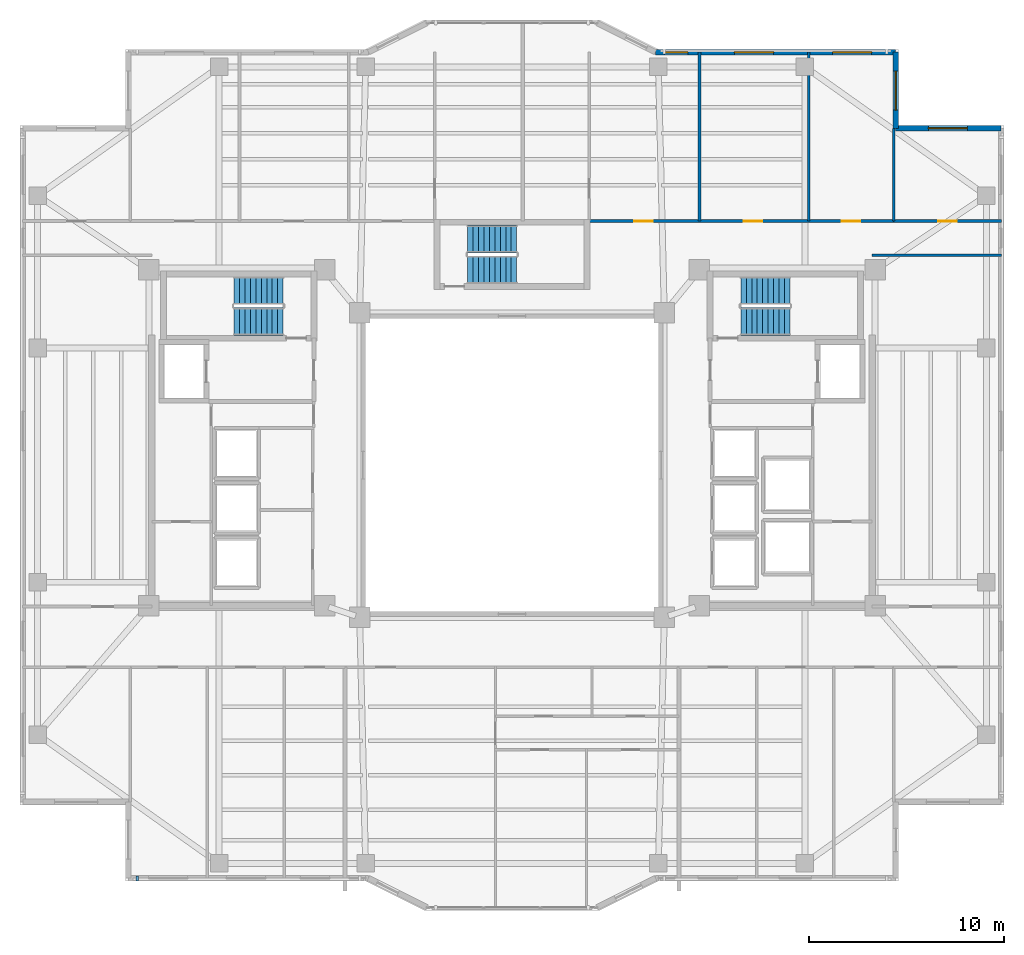
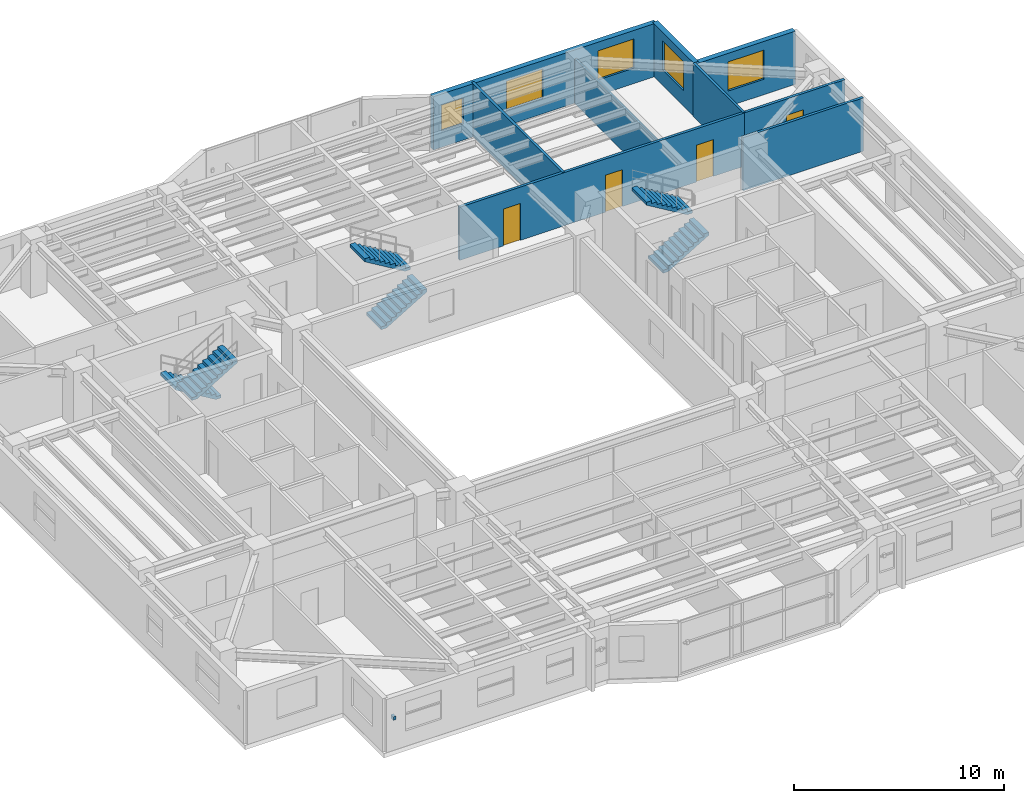
# One storey, part 10 of 15: 9 walls, 6 stair flights, 5 windows, 4 doors, 1 discrete accessory, 9 openings, 3 elements without a shape of their own.
"""IFC4 building model written with IfcOpenShell, lengths in metres."""

from ifc_helpers import new_model, si_unit, direction, frame, frame_2d, origin, origin_2d, place, context, subcontext, project, spatial, polyline, rectangle, outline, extrude, material, layer, layer_set, type_object, element, fill, aggregate, save


model = new_model("IFC4")

# Units and contexts
model_context = context("Model", 3, precision=1e-05, world=origin(), true_north=direction((0.0, 1.0)))
body_context = subcontext(model_context, "Body", "Model", "MODEL_VIEW")
ifc_project = project(units=[si_unit("LENGTHUNIT", "METRE"), si_unit("AREAUNIT", "SQUARE_METRE"), si_unit("VOLUMEUNIT", "CUBIC_METRE"), si_unit("PLANEANGLEUNIT", "RADIAN"), si_unit("MASSUNIT", "GRAM", prefix="KILO")], contexts=[model_context])

# Site, building, storey
site_placement = place(None, origin())
site = spatial("IfcSite", under=ifc_project, at=site_placement, CompositionType="ELEMENT")
building_placement = place(site_placement, origin())
building = spatial("IfcBuilding", under=site, at=building_placement, Name="Tarnavaz Court Tower", CompositionType="ELEMENT")
storey_placement = place(building_placement, frame((0.0, 0.0, 139.300048828125)))
storey = spatial("IfcBuildingStorey", under=building, at=storey_placement, Name="L37", CompositionType="ELEMENT", Elevation=139.300048828125)

# Wall, openings, windows
ifc_material_1 = material(Name="Precast Concrete C40/50", Category="concrete")
ifc_layer_1 = layer(ifc_material_1, 0.280029296875)
ifc_layer_set_1 = layer_set([ifc_layer_1], Name="Precast Concrete C40/50")
wall_type_1 = type_object("IfcWallType", Name="WL-EXT-280", PredefinedType="SOLIDWALL", material=ifc_layer_set_1)
wall_1_placement = place(storey_placement, frame((7.35009765625, 21.14990234375, 0.0), z_axis=(0.0, 0.0, 1.0), x_axis=(1.0, 0.0, 0.0)))
wall_1 = element("IfcWall", 1, at=wall_1_placement, inside=storey, type_object=wall_type_1, Name="L37 Exterior Terracotta Facade Wall 09", PredefinedType="SOLIDWALL", context=body_context, shape_type="SweptSolid", body=[
    extrude(rectangle(XDim=12.2998046875, YDim=0.280029296875, at=frame_2d((6.14990234375, 0.0))), origin(), (0.0, 0.0, 1.0), 3.099853515625),
])
opening_1_placement = place(wall_1_placement, frame((0.454345703125, 0.0, 0.949951171875)))
opening_1 = element("IfcOpeningElement", 2, at=opening_1_placement, cuts=wall_1, Name="Opening W05", PredefinedType="OPENING", context=body_context, shape_type="SweptSolid", body=[
    extrude(rectangle(XDim=1.199951171875, YDim=1.5, at=frame_2d((0.60009765625, 0.75))), frame((0.0, 0.14990234375, 0.0), z_axis=(0.0, -1.0, 0.0), x_axis=(1.0, 0.0, 0.0)), (0.0, 0.0, 1.0), 0.300048828125),
])
opening_2_placement = place(wall_1_placement, frame((4.04541015625, 0.0, 0.89990234375)))
opening_2 = element("IfcOpeningElement", 3, at=opening_2_placement, cuts=wall_1, Name="Opening W08", PredefinedType="OPENING", context=body_context, shape_type="SweptSolid", body=[
    extrude(rectangle(XDim=2.0, YDim=1.699951171875, at=frame_2d((1.0, 0.85009765625))), frame((0.0, 0.14990234375, 0.0), z_axis=(0.0, -1.0, 0.0), x_axis=(1.0, 0.0, 0.0)), (0.0, 0.0, 1.0), 0.300048828125),
])
opening_3_placement = place(wall_1_placement, frame((9.06591796875, 0.0, 0.89990234375)))
opening_3 = element("IfcOpeningElement", 4, at=opening_3_placement, cuts=wall_1, Name="Opening W08", PredefinedType="OPENING", context=body_context, shape_type="SweptSolid", body=[
    extrude(rectangle(XDim=2.0, YDim=1.699951171875, at=frame_2d((1.0, 0.85009765625))), frame((0.0, 0.14990234375, 0.0), z_axis=(0.0, -1.0, 0.0), x_axis=(1.0, 0.0, 0.0)), (0.0, 0.0, 1.0), 0.300048828125),
])
ifc_material_2 = material(Name="Double-Glazed Solar Low-E Glass", Category="glass")
window_type_1 = type_object("IfcWindowType", Name="WN-APT-1200", PartitioningType="SINGLE_PANEL", PredefinedType="WINDOW", material=ifc_material_2)
window_1_placement = place(opening_1_placement, origin())
window_1 = element("IfcWindow", 5, at=window_1_placement, inside=storey, type_object=window_type_1, Name="L37 Resident Co-Working Study Room Window", OverallHeight=1.5, OverallWidth=1.199951171875, PartitioningType="SINGLE_PANEL", PredefinedType="WINDOW", context=body_context, shape_type="SweptSolid", body=[
    extrude(rectangle(XDim=1.199951171875, YDim=1.5, at=frame_2d((0.60009765625, 0.75))), frame((0.0, 0.030029296875, 0.0), z_axis=(0.0, -1.0, 0.0), x_axis=(1.0, 0.0, 0.0)), (0.0, 0.0, 1.0), 0.06005859375),
])
fill(opening_1, window_1)
window_type_2 = type_object("IfcWindowType", Name="WN-APT-2000", PartitioningType="DOUBLE_PANEL_VERTICAL", PredefinedType="WINDOW", material=ifc_material_2)
window_2_placement = place(opening_2_placement, origin())
window_2 = element("IfcWindow", 6, at=window_2_placement, inside=storey, type_object=window_type_2, Name="L37 Quiet Reading Library Room Window", OverallHeight=1.699951171875, OverallWidth=2.0, PartitioningType="SINGLE_PANEL", PredefinedType="WINDOW", context=body_context, shape_type="SweptSolid", body=[
    extrude(rectangle(XDim=2.0, YDim=1.699951171875, at=frame_2d((1.0, 0.85009765625))), frame((0.0, 0.030029296875, 0.0), z_axis=(0.0, -1.0, 0.0), x_axis=(1.0, 0.0, 0.0)), (0.0, 0.0, 1.0), 0.06005859375),
])
fill(opening_2, window_2)
window_3_placement = place(opening_3_placement, origin())
window_3 = element("IfcWindow", 7, at=window_3_placement, inside=storey, type_object=window_type_2, Name="L37 Resident Focus Seminar Room Window", OverallHeight=1.699951171875, OverallWidth=2.0, PartitioningType="SINGLE_PANEL", PredefinedType="WINDOW", context=body_context, shape_type="SweptSolid", body=[
    extrude(rectangle(XDim=2.0, YDim=1.699951171875, at=frame_2d((1.0, 0.85009765625))), frame((0.0, 0.030029296875, 0.0), z_axis=(0.0, -1.0, 0.0), x_axis=(1.0, 0.0, 0.0)), (0.0, 0.0, 1.0), 0.06005859375),
])
fill(opening_3, window_3)

# Wall, opening, window
wall_2_placement = place(storey_placement, frame((19.64990234375, 21.14990234375, 0.0), z_axis=(0.0, 0.0, 1.0), x_axis=(0.0, -1.0, 0.0)))
wall_2 = element("IfcWall", 8, at=wall_2_placement, inside=storey, type_object=wall_type_1, Name="L37 Exterior Terracotta Facade Wall 10", PredefinedType="SOLIDWALL", context=body_context, shape_type="SweptSolid", body=[
    extrude(rectangle(XDim=3.89990234375, YDim=0.280029296875, at=frame_2d((1.949951171875, 0.0))), origin(), (0.0, 0.0, 1.0), 3.099853515625),
])
opening_4_placement = place(wall_2_placement, frame((0.9677734375, 0.0, 0.89990234375)))
opening_4 = element("IfcOpeningElement", 9, at=opening_4_placement, cuts=wall_2, Name="Opening W08", PredefinedType="OPENING", context=body_context, shape_type="SweptSolid", body=[
    extrude(rectangle(XDim=2.0, YDim=1.699951171875, at=frame_2d((1.0, 0.85009765625))), frame((0.0, 0.14990234375, 0.0), z_axis=(0.0, -1.0, 0.0), x_axis=(1.0, 0.0, 0.0)), (0.0, 0.0, 1.0), 0.300048828125),
])
window_4_placement = place(opening_4_placement, origin())
window_4 = element("IfcWindow", 10, at=window_4_placement, inside=storey, type_object=window_type_2, Name="L37 Resident Focus Seminar Room Window", OverallHeight=1.699951171875, OverallWidth=2.0, PartitioningType="SINGLE_PANEL", PredefinedType="WINDOW", context=body_context, shape_type="SweptSolid", body=[
    extrude(rectangle(XDim=2.0, YDim=1.699951171875, at=frame_2d((1.0, 0.85009765625))), frame((0.0, 0.030029296875, 0.0), z_axis=(0.0, -1.0, 0.0), x_axis=(1.0, 0.0, 0.0)), (0.0, 0.0, 1.0), 0.06005859375),
])
fill(opening_4, window_4)

wall_3_placement = place(storey_placement, frame((19.64990234375, 17.25, 0.0), z_axis=(0.0, 0.0, 1.0), x_axis=(1.0, 0.0, 0.0)))
wall_3 = element("IfcWall", 11, at=wall_3_placement, inside=storey, type_object=wall_type_1, Name="L37 Exterior Terracotta Facade Wall 11", PredefinedType="SOLIDWALL", context=body_context, shape_type="SweptSolid", body=[
    extrude(rectangle(XDim=5.400146484375, YDim=0.280029296875, at=frame_2d((2.7001953125, 0.0))), origin(), (0.0, 0.0, 1.0), 3.099853515625),
])
opening_5_placement = place(wall_3_placement, frame((1.675048828125, 0.0, 0.89990234375)))
opening_5 = element("IfcOpeningElement", 12, at=opening_5_placement, cuts=wall_3, Name="Opening W08", PredefinedType="OPENING", context=body_context, shape_type="SweptSolid", body=[
    extrude(rectangle(XDim=2.0, YDim=1.699951171875, at=frame_2d((1.0, 0.85009765625))), frame((0.0, 0.14990234375, 0.0), z_axis=(0.0, -1.0, 0.0), x_axis=(1.0, 0.0, 0.0)), (0.0, 0.0, 1.0), 0.300048828125),
])
window_5_placement = place(opening_5_placement, origin())
window_5 = element("IfcWindow", 13, at=window_5_placement, inside=storey, type_object=window_type_2, Name="L37 North-East Corner Sunroom Study Window", OverallHeight=1.699951171875, OverallWidth=2.0, PartitioningType="SINGLE_PANEL", PredefinedType="WINDOW", context=body_context, shape_type="SweptSolid", body=[
    extrude(rectangle(XDim=2.0, YDim=1.699951171875, at=frame_2d((1.0, 0.85009765625))), frame((0.0, 0.030029296875, 0.0), z_axis=(0.0, -1.0, 0.0), x_axis=(1.0, 0.0, 0.0)), (0.0, 0.0, 1.0), 0.06005859375),
])
fill(opening_5, window_5)

# Wall, openings, doors
ifc_material_3 = material(Name="Gypsum Fire-Board on Acoustic Metal Stud", Category="masonry")
ifc_layer_2 = layer(ifc_material_3, 0.14990234375)
ifc_layer_set_2 = layer_set([ifc_layer_2], Name="Gypsum Fire-Board on Acoustic Metal Stud")
wall_type_2 = type_object("IfcWallType", Name="WL-FIRE-150", PredefinedType="PARTITIONING", material=ifc_layer_set_2)
wall_4_placement = place(storey_placement, frame((3.85009765625, 12.5, 0.0), z_axis=(0.0, 0.0, 1.0), x_axis=(1.0, 0.0, 0.0)))
wall_4 = element("IfcWall", 14, at=wall_4_placement, inside=storey, type_object=wall_type_2, Name="L37 NE Wing Corridor Wall 072", PredefinedType="PARTITIONING", context=body_context, shape_type="SweptSolid", body=[
    extrude(rectangle(XDim=15.699951171875, YDim=0.14990234375, at=frame_2d((7.85009765625, 0.0))), origin(), (0.0, 0.0, 1.0), 3.099853515625),
])
opening_6_placement = place(wall_4_placement, frame((2.402099609375, 0.0, 0.0)))
opening_6 = element("IfcOpeningElement", 15, at=opening_6_placement, cuts=wall_4, Name="Opening D13", PredefinedType="OPENING", context=body_context, shape_type="SweptSolid", body=[
    extrude(rectangle(XDim=0.949951171875, YDim=2.14990234375, at=frame_2d((0.47509765625, 1.074951171875))), frame((0.0, 0.0849609375, 0.0), z_axis=(0.0, -1.0, 0.0), x_axis=(1.0, 0.0, 0.0)), (0.0, 0.0, 1.0), 0.169921875),
])
opening_7_placement = place(wall_4_placement, frame((8.02587890625, 0.0, 0.0)))
opening_7 = element("IfcOpeningElement", 16, at=opening_7_placement, cuts=wall_4, Name="Opening D13", PredefinedType="OPENING", context=body_context, shape_type="SweptSolid", body=[
    extrude(rectangle(XDim=0.949951171875, YDim=2.14990234375, at=frame_2d((0.47509765625, 1.074951171875))), frame((0.0, 0.0849609375, 0.0), z_axis=(0.0, -1.0, 0.0), x_axis=(1.0, 0.0, 0.0)), (0.0, 0.0, 1.0), 0.169921875),
])
opening_8_placement = place(wall_4_placement, frame((13.030029296875, 0.0, 0.0)))
opening_8 = element("IfcOpeningElement", 17, at=opening_8_placement, cuts=wall_4, Name="Opening D13", PredefinedType="OPENING", context=body_context, shape_type="SweptSolid", body=[
    extrude(rectangle(XDim=0.949951171875, YDim=2.14990234375, at=frame_2d((0.47509765625, 1.074951171875))), frame((0.0, 0.0849609375, 0.0), z_axis=(0.0, -1.0, 0.0), x_axis=(1.0, 0.0, 0.0)), (0.0, 0.0, 1.0), 0.169921875),
])
ifc_material_4 = material(Name="Engineered Oak Timber", Category="wood")
door_type = type_object("IfcDoorType", Name="DR-INT-950", OperationType="NOTDEFINED", PredefinedType="DOOR", material=ifc_material_4)
door_1_placement = place(opening_6_placement, origin())
door_1 = element("IfcDoor", 18, at=door_1_placement, inside=storey, type_object=door_type, Name="L37 Resident Co-Working Study Room Door", OperationType="SINGLE_SWING_LEFT", OverallHeight=2.14990234375, OverallWidth=0.949951171875, PredefinedType="DOOR", context=body_context, shape_type="SweptSolid", body=[
    extrude(rectangle(XDim=0.949951171875, YDim=2.14990234375, at=frame_2d((0.47509765625, 1.074951171875))), frame((0.0, 0.02490234375, 0.0), z_axis=(0.0, -1.0, 0.0), x_axis=(1.0, 0.0, 0.0)), (0.0, 0.0, 1.0), 0.050048828125),
])
fill(opening_6, door_1)
door_2_placement = place(opening_7_placement, origin())
door_2 = element("IfcDoor", 19, at=door_2_placement, inside=storey, type_object=door_type, Name="L37 Quiet Reading Library Room Door", OperationType="SINGLE_SWING_RIGHT", OverallHeight=2.14990234375, OverallWidth=0.949951171875, PredefinedType="DOOR", context=body_context, shape_type="SweptSolid", body=[
    extrude(rectangle(XDim=0.949951171875, YDim=2.14990234375, at=frame_2d((0.47509765625, 1.074951171875))), frame((0.0, 0.02490234375, 0.0), z_axis=(0.0, -1.0, 0.0), x_axis=(1.0, 0.0, 0.0)), (0.0, 0.0, 1.0), 0.050048828125),
])
fill(opening_7, door_2)
door_3_placement = place(opening_8_placement, origin())
door_3 = element("IfcDoor", 20, at=door_3_placement, inside=storey, type_object=door_type, Name="L37 Resident Focus Seminar Room Door", OperationType="SINGLE_SWING_LEFT", OverallHeight=2.14990234375, OverallWidth=0.949951171875, PredefinedType="DOOR", context=body_context, shape_type="SweptSolid", body=[
    extrude(rectangle(XDim=0.949951171875, YDim=2.14990234375, at=frame_2d((0.47509765625, 1.074951171875))), frame((0.0, 0.02490234375, 0.0), z_axis=(0.0, -1.0, 0.0), x_axis=(1.0, 0.0, 0.0)), (0.0, 0.0, 1.0), 0.050048828125),
])
fill(opening_8, door_3)

# Wall
wall_5_placement = place(storey_placement, frame((18.449951171875, 10.75, 0.0), z_axis=(0.0, 0.0, 1.0), x_axis=(1.0, 0.0, 0.0)))
element("IfcWall", 21, at=wall_5_placement, inside=storey, type_object=wall_type_2, Name="L37 Interior Partition 098", PredefinedType="PARTITIONING", context=body_context, shape_type="SweptSolid", body=[
    extrude(rectangle(XDim=6.630126953125, YDim=0.14990234375, at=frame_2d((3.31494140625, 0.0))), origin(), (0.0, 0.0, 1.0), 3.099853515625),
])

# Wall, opening, door
wall_6_placement = place(storey_placement, frame((19.550048828125, 12.5, 0.0), z_axis=(0.0, 0.0, 1.0), x_axis=(1.0, 0.0, 0.0)))
wall_6 = element("IfcWall", 22, at=wall_6_placement, inside=storey, type_object=wall_type_2, Name="L37 Interior Partition 104", PredefinedType="PARTITIONING", context=body_context, shape_type="SweptSolid", body=[
    extrude(rectangle(XDim=5.530029296875, YDim=0.14990234375, at=frame_2d((2.76513671875, 0.0))), origin(), (0.0, 0.0, 1.0), 3.099853515625),
])
opening_9_placement = place(wall_6_placement, frame((2.2900390625, 0.0, 0.0)))
opening_9 = element("IfcOpeningElement", 23, at=opening_9_placement, cuts=wall_6, Name="Opening D13", PredefinedType="OPENING", context=body_context, shape_type="SweptSolid", body=[
    extrude(rectangle(XDim=0.949951171875, YDim=2.14990234375, at=frame_2d((0.47509765625, 1.074951171875))), frame((0.0, 0.0849609375, 0.0), z_axis=(0.0, -1.0, 0.0), x_axis=(1.0, 0.0, 0.0)), (0.0, 0.0, 1.0), 0.169921875),
])
door_4_placement = place(opening_9_placement, origin())
door_4 = element("IfcDoor", 24, at=door_4_placement, inside=storey, type_object=door_type, Name="L37 NE Sunroom Door", OperationType="SINGLE_SWING_RIGHT", OverallHeight=2.14990234375, OverallWidth=0.949951171875, PredefinedType="DOOR", context=body_context, shape_type="SweptSolid", body=[
    extrude(rectangle(XDim=0.949951171875, YDim=2.14990234375, at=frame_2d((0.47509765625, 1.074951171875))), frame((0.0, 0.02490234375, 0.0), z_axis=(0.0, -1.0, 0.0), x_axis=(1.0, 0.0, 0.0)), (0.0, 0.0, 1.0), 0.050048828125),
])
fill(opening_9, door_4)

# Walls
ifc_material_5 = material(Name="Gypsum Plasterboard Acoustic Partition", Category="masonry")
ifc_layer_3 = layer(ifc_material_5, 0.139892578125)
ifc_layer_set_3 = layer_set([ifc_layer_3], Name="Gypsum Plasterboard Acoustic Partition")
wall_type_3 = type_object("IfcWallType", Name="WL-PART-150", PredefinedType="PARTITIONING", material=ifc_layer_set_3)
wall_7_placement = place(storey_placement, frame((9.60400390625, 12.5, 0.0), z_axis=(0.0, 0.0, 1.0), x_axis=(0.0, 1.0, 0.0)))
element("IfcWall", 25, at=wall_7_placement, inside=storey, type_object=wall_type_3, Name="L37 Interior Partition 080", PredefinedType="PARTITIONING", context=body_context, shape_type="SweptSolid", body=[
    extrude(rectangle(XDim=8.64990234375, YDim=0.139892578125, at=frame_2d((4.324951171875, 0.0))), origin(), (0.0, 0.0, 1.0), 3.099853515625),
])
wall_8_placement = place(storey_placement, frame((15.198974609375, 12.5, 0.0), z_axis=(0.0, 0.0, 1.0), x_axis=(0.0, 1.0, 0.0)))
element("IfcWall", 26, at=wall_8_placement, inside=storey, type_object=wall_type_3, Name="L37 Interior Partition 081", PredefinedType="PARTITIONING", context=body_context, shape_type="SweptSolid", body=[
    extrude(rectangle(XDim=8.64990234375, YDim=0.139892578125, at=frame_2d((4.324951171875, 0.0))), origin(), (0.0, 0.0, 1.0), 2.5849609375),
])
wall_9_placement = place(storey_placement, frame((19.550048828125, 12.5, 0.0), z_axis=(0.0, 0.0, 1.0), x_axis=(0.0, 1.0, 0.0)))
element("IfcWall", 27, at=wall_9_placement, inside=storey, type_object=wall_type_3, Name="L37 Interior Partition 102", PredefinedType="PARTITIONING", context=body_context, shape_type="SweptSolid", body=[
    extrude(rectangle(XDim=4.75, YDim=0.139892578125, at=frame_2d((2.375, 0.0))), origin(), (0.0, 0.0, 1.0), 3.099853515625),
])

# Stair, stair flights
ifc_material_6 = material(Name="Concrete C40/50", Category="concrete")
stair_type = type_object("IfcStairType", Name="ST-TWR-20R", PredefinedType="HALF_TURN_STAIR", material=ifc_material_6)
stair_1_placement = place(storey_placement, origin())
stair_1 = element("IfcStair", 28, at=stair_1_placement, inside=storey, type_object=stair_type, Name="L37 West Core Pressurized Exit Stair ST-W1", PredefinedType="HALF_TURN_STAIR")
stair_flight_type = type_object("IfcStairFlightType", Name="SFL-RC-20R", PredefinedType="STRAIGHT", material=ifc_material_6)
stair_flight_1_placement = place(storey_placement, frame((-11.719970703125, 8.929931640625, 0.0), z_axis=(0.0, 0.0, 1.0), x_axis=(-1.0, 0.0, 0.0)))
stair_flight_1 = element("IfcStairFlight", 29, at=stair_flight_1_placement, type_object=stair_flight_type, Name="ST-W1 flight 1", NumberOfRisers=10, NumberOfTreads=9, PredefinedType="STRAIGHT", RiserHeight=0.1675, TreadLength=0.28, context=body_context, shape_type="SweptSolid", body=[
    extrude(outline(polyline([(0.0, 0.0), (0.0, 0.16748046875), (0.280029296875, 0.16748046875), (0.280029296875, 0.3349609375), (0.56005859375, 0.3349609375), (0.56005859375, 0.50244140625), (0.840087890625, 0.50244140625), (0.840087890625, 0.669921875), (1.1201171875, 0.669921875), (1.1201171875, 0.83740234375), (1.39990234375, 0.83740234375), (1.39990234375, 1.0048828125), (1.679931640625, 1.0048828125), (1.679931640625, 1.172607421875), (1.9599609375, 1.172607421875), (1.9599609375, 1.340087890625), (2.239990234375, 1.340087890625), (2.239990234375, 1.507568359375), (2.52001953125, 1.507568359375), (2.52001953125, 1.675048828125), (2.52001953125, 1.332763671875), (0.2919921875, 0.0), (0.0, 0.0)])), frame((0.0, 0.7099609375, 0.0), z_axis=(0.0, -1.0, 0.0), x_axis=(1.0, 0.0, 0.0)), (0.0, 0.0, 1.0), 1.419921875),
])
stair_flight_2_placement = place(storey_placement, frame((-14.239990234375, 7.360107421875, 1.675048828125), z_axis=(0.0, 0.0, 1.0), x_axis=(1.0, 0.0, 0.0)))
stair_flight_2 = element("IfcStairFlight", 30, at=stair_flight_2_placement, type_object=stair_flight_type, Name="ST-W1 flight 2", NumberOfRisers=10, NumberOfTreads=9, PredefinedType="STRAIGHT", RiserHeight=0.1675, TreadLength=0.28, context=body_context, shape_type="SweptSolid", body=[
    extrude(outline(polyline([(0.0, 0.0), (0.0, 0.16748046875), (0.280029296875, 0.16748046875), (0.280029296875, 0.3349609375), (0.56005859375, 0.3349609375), (0.56005859375, 0.50244140625), (0.840087890625, 0.50244140625), (0.840087890625, 0.669921875), (1.1201171875, 0.669921875), (1.1201171875, 0.83740234375), (1.39990234375, 0.83740234375), (1.39990234375, 1.0048828125), (1.679931640625, 1.0048828125), (1.679931640625, 1.172607421875), (1.9599609375, 1.172607421875), (1.9599609375, 1.340087890625), (2.239990234375, 1.340087890625), (2.239990234375, 1.507568359375), (2.52001953125, 1.507568359375), (2.52001953125, 1.675048828125), (2.52001953125, 1.332763671875), (0.2919921875, 0.0), (0.0, 0.0)])), frame((0.0, 0.7099609375, 0.0), z_axis=(0.0, -1.0, 0.0), x_axis=(1.0, 0.0, 0.0)), (0.0, 0.0, 1.0), 1.419921875),
])
aggregate(stair_1, [stair_flight_1, stair_flight_2])

stair_2_placement = place(storey_placement, origin())
stair_2 = element("IfcStair", 31, at=stair_2_placement, inside=storey, type_object=stair_type, Name="L37 East Core Pressurized Exit Stair ST-E1", PredefinedType="HALF_TURN_STAIR")
stair_flight_3_placement = place(storey_placement, frame((11.719970703125, 7.360107421875, 0.0), z_axis=(0.0, 0.0, 1.0), x_axis=(1.0, 0.0, 0.0)))
stair_flight_3 = element("IfcStairFlight", 32, at=stair_flight_3_placement, type_object=stair_flight_type, Name="ST-E1 flight 1", NumberOfRisers=10, NumberOfTreads=9, PredefinedType="STRAIGHT", RiserHeight=0.1675, TreadLength=0.28, context=body_context, shape_type="SweptSolid", body=[
    extrude(outline(polyline([(0.0, 0.0), (0.0, 0.16748046875), (0.280029296875, 0.16748046875), (0.280029296875, 0.3349609375), (0.56005859375, 0.3349609375), (0.56005859375, 0.50244140625), (0.840087890625, 0.50244140625), (0.840087890625, 0.669921875), (1.1201171875, 0.669921875), (1.1201171875, 0.83740234375), (1.39990234375, 0.83740234375), (1.39990234375, 1.0048828125), (1.679931640625, 1.0048828125), (1.679931640625, 1.172607421875), (1.9599609375, 1.172607421875), (1.9599609375, 1.340087890625), (2.239990234375, 1.340087890625), (2.239990234375, 1.507568359375), (2.52001953125, 1.507568359375), (2.52001953125, 1.675048828125), (2.52001953125, 1.332763671875), (0.2919921875, 0.0), (0.0, 0.0)])), frame((0.0, 0.7099609375, 0.0), z_axis=(0.0, -1.0, 0.0), x_axis=(1.0, 0.0, 0.0)), (0.0, 0.0, 1.0), 1.419921875),
])
stair_flight_4_placement = place(storey_placement, frame((14.239990234375, 8.929931640625, 1.675048828125), z_axis=(0.0, 0.0, 1.0), x_axis=(-1.0, 0.0, 0.0)))
stair_flight_4 = element("IfcStairFlight", 33, at=stair_flight_4_placement, type_object=stair_flight_type, Name="ST-E1 flight 2", NumberOfRisers=10, NumberOfTreads=9, PredefinedType="STRAIGHT", RiserHeight=0.1675, TreadLength=0.28, context=body_context, shape_type="SweptSolid", body=[
    extrude(outline(polyline([(0.0, 0.0), (0.0, 0.16748046875), (0.280029296875, 0.16748046875), (0.280029296875, 0.3349609375), (0.56005859375, 0.3349609375), (0.56005859375, 0.50244140625), (0.840087890625, 0.50244140625), (0.840087890625, 0.669921875), (1.1201171875, 0.669921875), (1.1201171875, 0.83740234375), (1.39990234375, 0.83740234375), (1.39990234375, 1.0048828125), (1.679931640625, 1.0048828125), (1.679931640625, 1.172607421875), (1.9599609375, 1.172607421875), (1.9599609375, 1.340087890625), (2.239990234375, 1.340087890625), (2.239990234375, 1.507568359375), (2.52001953125, 1.507568359375), (2.52001953125, 1.675048828125), (2.52001953125, 1.332763671875), (0.2919921875, 0.0), (0.0, 0.0)])), frame((0.0, 0.7099609375, 0.0), z_axis=(0.0, -1.0, 0.0), x_axis=(1.0, 0.0, 0.0)), (0.0, 0.0, 1.0), 1.419921875),
])
aggregate(stair_2, [stair_flight_3, stair_flight_4])

stair_3_placement = place(storey_placement, origin())
stair_3 = element("IfcStair", 34, at=stair_3_placement, inside=storey, type_object=stair_type, Name="L37 North Ring Pressurized Exit Stair ST-N1", PredefinedType="HALF_TURN_STAIR")
stair_flight_5_placement = place(storey_placement, frame((-2.280029296875, 10.010009765625, 0.0), z_axis=(0.0, 0.0, 1.0), x_axis=(1.0, 0.0, 0.0)))
stair_flight_5 = element("IfcStairFlight", 35, at=stair_flight_5_placement, type_object=stair_flight_type, Name="ST-N1 flight 1", NumberOfRisers=10, NumberOfTreads=9, PredefinedType="STRAIGHT", RiserHeight=0.1675, TreadLength=0.28, context=body_context, shape_type="SweptSolid", body=[
    extrude(outline(polyline([(0.0, 0.0), (0.0, 0.16748046875), (0.280029296875, 0.16748046875), (0.280029296875, 0.3349609375), (0.56005859375, 0.3349609375), (0.56005859375, 0.50244140625), (0.840087890625, 0.50244140625), (0.840087890625, 0.669921875), (1.1201171875, 0.669921875), (1.1201171875, 0.83740234375), (1.39990234375, 0.83740234375), (1.39990234375, 1.0048828125), (1.679931640625, 1.0048828125), (1.679931640625, 1.172607421875), (1.9599609375, 1.172607421875), (1.9599609375, 1.340087890625), (2.239990234375, 1.340087890625), (2.239990234375, 1.507568359375), (2.52001953125, 1.507568359375), (2.52001953125, 1.675048828125), (2.52001953125, 1.332763671875), (0.2919921875, 0.0), (0.0, 0.0)])), frame((0.0, 0.7099609375, 0.0), z_axis=(0.0, -1.0, 0.0), x_axis=(1.0, 0.0, 0.0)), (0.0, 0.0, 1.0), 1.419921875),
])
stair_flight_6_placement = place(storey_placement, frame((0.239990234375, 11.580078125, 1.675048828125), z_axis=(0.0, 0.0, 1.0), x_axis=(-1.0, 0.0, 0.0)))
stair_flight_6 = element("IfcStairFlight", 36, at=stair_flight_6_placement, type_object=stair_flight_type, Name="ST-N1 flight 2", NumberOfRisers=10, NumberOfTreads=9, PredefinedType="STRAIGHT", RiserHeight=0.1675, TreadLength=0.28, context=body_context, shape_type="SweptSolid", body=[
    extrude(outline(polyline([(0.0, 0.0), (0.0, 0.16748046875), (0.280029296875, 0.16748046875), (0.280029296875, 0.3349609375), (0.56005859375, 0.3349609375), (0.56005859375, 0.50244140625), (0.840087890625, 0.50244140625), (0.840087890625, 0.669921875), (1.1201171875, 0.669921875), (1.1201171875, 0.83740234375), (1.39990234375, 0.83740234375), (1.39990234375, 1.0048828125), (1.679931640625, 1.0048828125), (1.679931640625, 1.172607421875), (1.9599609375, 1.172607421875), (1.9599609375, 1.340087890625), (2.239990234375, 1.340087890625), (2.239990234375, 1.507568359375), (2.52001953125, 1.507568359375), (2.52001953125, 1.675048828125), (2.52001953125, 1.332763671875), (0.2919921875, 0.0), (0.0, 0.0)])), frame((0.0, 0.7099609375, 0.0), z_axis=(0.0, -1.0, 0.0), x_axis=(1.0, 0.0, 0.0)), (0.0, 0.0, 1.0), 1.419921875),
])
aggregate(stair_3, [stair_flight_5, stair_flight_6])

# Discrete accessory
ifc_material_7 = material(Name="Anodised Aluminium 6063-T6", Category="aluminium")
discrete_accessory_type = type_object("IfcDiscreteAccessoryType", Name="DA-BRKT-ALU", PredefinedType="BRACKET", material=ifc_material_7)
discrete_accessory_placement = place(storey_placement, frame((-19.199951171875, -21.169921875, 1.75), z_axis=(0.0, 0.0, 1.0), x_axis=(-1.0, 0.0, 0.0)))
element("IfcDiscreteAccessory", 37, at=discrete_accessory_placement, inside=storey, type_object=discrete_accessory_type, Name="L37 Baguette Outrigger Bracket FBG19-2", PredefinedType="BRACKET", context=body_context, shape_type="SweptSolid", body=[
    extrude(rectangle(XDim=0.139892578125, YDim=0.239990234375, at=origin_2d()), origin(), (0.0, 0.0, 1.0), 0.199951171875),
])

save(model, "model.ifc")
